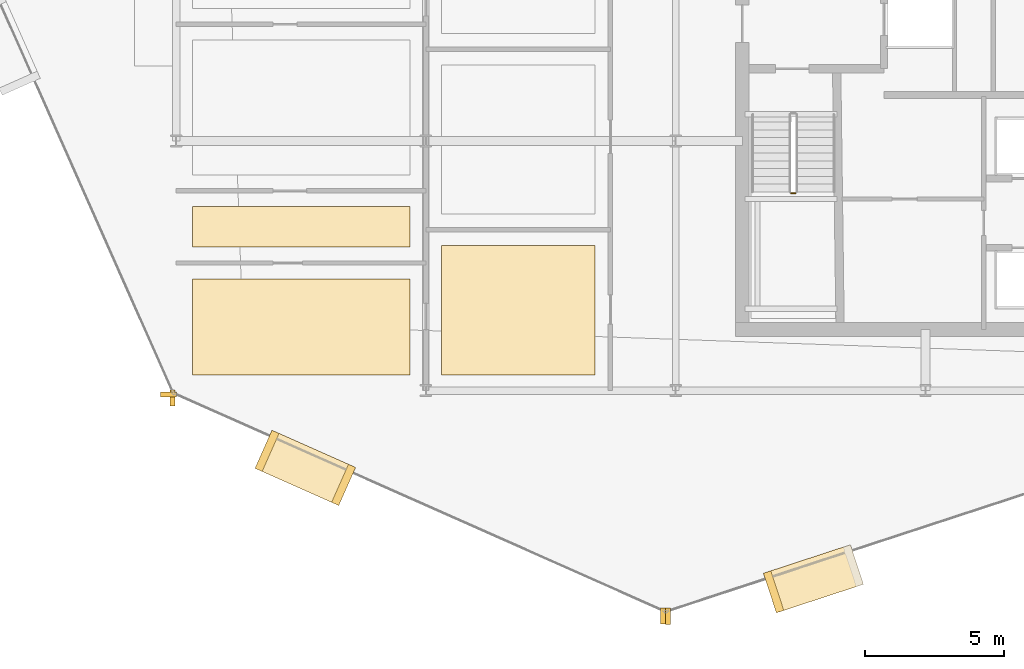
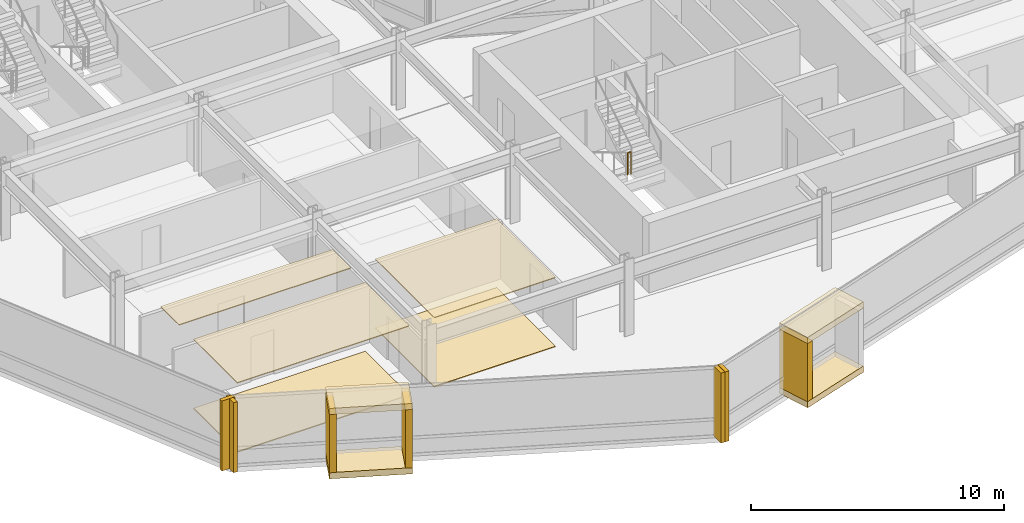
# One storey, part 25 of 29: 16 coverings, 1 railing.
"""IFC4 building model written with IfcOpenShell, lengths in metres."""

import ifcopenshell
import ifcopenshell.guid

model = None  # the IFC model being written
_history = None  # IfcOwnerHistory: only IFC2X3 demands one
_inside = {}  # id of a spatial element -> (the spatial element, [elements in it])
_under = {}  # id of a project, library or spatial element -> (it, [spatial elements below it])
_declared = {}  # id of a project -> (the project, [libraries it declares])
_typed = {}  # id of a type object -> (the type object, [elements of that type])
_made_of = {}  # id of a material, layer set ... -> (it, [elements and type objects made of it])


def new_model(schema):
    """Start an empty IFC model of exactly this schema.

    Asked for "IFC4X3", IfcOpenShell would pick the latest addendum, in which some entities
    have other attributes; the version numbers below select the first issue.
    IFC2X3 requires an IfcOwnerHistory on every rooted entity: one is made here for all.
    """
    global model, _history
    if schema == "IFC4X3":
        model = ifcopenshell.file(schema_version=(4, 3, 0, 0))
    else:
        model = ifcopenshell.file(schema=schema)
    _inside.clear()
    _under.clear()
    _declared.clear()
    _typed.clear()
    _made_of.clear()
    _history = None
    if model.schema == "IFC2X3":
        org = make("IfcOrganization", Name="unknown")
        user = make(
            "IfcPersonAndOrganization",
            ThePerson=make("IfcPerson", FamilyName="unknown"),
            TheOrganization=org,
        )
        app = make(
            "IfcApplication",
            ApplicationDeveloper=org,
            Version="unknown",
            ApplicationFullName="unknown",
            ApplicationIdentifier="unknown",
        )
        _history = make(
            "IfcOwnerHistory",
            OwningUser=user,
            OwningApplication=app,
            ChangeAction="ADDED",
            CreationDate=0,
        )
    return model


def make(cls, **values):
    """One entity of the class cls with the attributes given. An attribute that is None is left unset."""
    return model.create_entity(
        cls, **{name: value for name, value in values.items() if value is not None}
    )


def rooted(cls, **values):
    """An entity with a GlobalId (a new one), such as an element, a storey or a relation."""
    return make(cls, GlobalId=ifcopenshell.guid.new(), OwnerHistory=_history, **values)


def si_unit(unit_type, name, prefix=None):
    """IfcSIUnit, for example si_unit("LENGTHUNIT", "METRE", prefix="MILLI")."""
    return make("IfcSIUnit", UnitType=unit_type, Prefix=prefix, Name=name)


def assignment(units):
    """IfcUnitAssignment: the units of a project."""
    return None if units is None else make("IfcUnitAssignment", Units=units)


def point(xyz):
    """IfcCartesianPoint."""
    return None if xyz is None else make("IfcCartesianPoint", Coordinates=xyz)


def direction(xyz):
    """IfcDirection."""
    return None if xyz is None else make("IfcDirection", DirectionRatios=xyz)


def frame(location, z_axis=None, x_axis=None):
    """IfcAxis2Placement3D, a coordinate frame: its origin and axes. An axis left out is left unset."""
    return make(
        "IfcAxis2Placement3D",
        Location=point(location),
        Axis=direction(z_axis),
        RefDirection=direction(x_axis),
    )


def frame_2d(location, x_axis=None):
    """IfcAxis2Placement2D, a coordinate frame in the plane: its origin and x axis."""
    return make(
        "IfcAxis2Placement2D", Location=point(location), RefDirection=direction(x_axis)
    )


def origin():
    """The frame at (0, 0, 0) with its axes left unset."""
    return frame((0.0, 0.0, 0.0))


def origin_2d():
    """The frame at (0, 0) in the plane with its x axis left unset."""
    return frame_2d((0.0, 0.0))


def place(relative_to, where):
    """IfcLocalPlacement: puts the frame where relative to a parent placement (None: the world)."""
    return make(
        "IfcLocalPlacement", PlacementRelTo=relative_to, RelativePlacement=where
    )


def context(
    kind, dimensions, precision=None, world=None, true_north=None, identifier=None
):
    """IfcGeometricRepresentationContext, for example the 3D "Model" context."""
    return make(
        "IfcGeometricRepresentationContext",
        ContextIdentifier=identifier,
        ContextType=kind,
        CoordinateSpaceDimension=dimensions,
        Precision=precision,
        WorldCoordinateSystem=world,
        TrueNorth=true_north,
    )


def subcontext(parent, identifier, kind, view, scale=None):
    """IfcGeometricRepresentationSubContext, for example "Body" below "Model"."""
    return make(
        "IfcGeometricRepresentationSubContext",
        ContextIdentifier=identifier,
        ContextType=kind,
        ParentContext=parent,
        TargetScale=scale,
        TargetView=view,
    )


def project(units=None, contexts=None):
    """IfcProject with its units and contexts."""
    return rooted(
        "IfcProject",
        Name="project",
        RepresentationContexts=contexts,
        UnitsInContext=assignment(units),
    )


def spatial(cls, under=None, at=None, **own):
    """A site, building, storey or space (cls), placed at a placement, below another one or the project."""
    s = rooted(cls, ObjectPlacement=at, **own)
    if under is not None:
        _under.setdefault(under.id(), (under, []))[1].append(s)
    return s


def polyline(points):
    """IfcPolyline through the points."""
    return make("IfcPolyline", Points=[point(p) for p in points])


def profile(cls, at=None, kind="AREA", **sizes):
    """A parametric profile (cls). Its sizes go by their IFC names, for example OverallWidth=200.0."""
    return make(cls, ProfileType=kind, Position=at, **sizes)


def rectangle(**sizes):
    """IfcRectangleProfileDef."""
    return profile("IfcRectangleProfileDef", **sizes)


def circle(**sizes):
    """IfcCircleProfileDef."""
    return profile("IfcCircleProfileDef", **sizes)


def outline(outer, holes=None, kind="AREA"):
    """IfcArbitraryClosedProfileDef: a profile drawn as a closed curve; with holes, ...WithVoids."""
    if holes is None:
        return make("IfcArbitraryClosedProfileDef", ProfileType=kind, OuterCurve=outer)
    return make(
        "IfcArbitraryProfileDefWithVoids",
        ProfileType=kind,
        OuterCurve=outer,
        InnerCurves=holes,
    )


def extrude(swept, where, along, depth):
    """IfcExtrudedAreaSolid: the profile swept, set in the frame where, extruded along a direction by depth."""
    return make(
        "IfcExtrudedAreaSolid",
        SweptArea=swept,
        Position=where,
        ExtrudedDirection=direction(along),
        Depth=depth,
    )


def shape(context_of_items, identifier, shape_type, items):
    """IfcShapeRepresentation: the items that make up one representation, for example the "Body"."""
    return make(
        "IfcShapeRepresentation",
        ContextOfItems=context_of_items,
        RepresentationIdentifier=identifier,
        RepresentationType=shape_type,
        Items=items,
    )


def material(Name=None, Category=None):
    """IfcMaterial."""
    return make("IfcMaterial", Name=Name, Category=Category)


def layer(
    of_material, thickness, ventilated=None, Name=None, Category=None, Priority=None
):
    """IfcMaterialLayer: one layer of a wall or slab, of a material (None: an air gap)."""
    return make(
        "IfcMaterialLayer",
        Material=of_material,
        LayerThickness=thickness,
        IsVentilated=ventilated,
        Name=Name,
        Category=Category,
        Priority=Priority,
    )


def layer_set(layers, Name=None):
    """IfcMaterialLayerSet."""
    return make("IfcMaterialLayerSet", MaterialLayers=layers, LayerSetName=Name)


def made_of(thing, what):
    """Note that an element or type object is made of a material, layer set ...; save() writes the relation."""
    if what is not None:
        _made_of.setdefault(what.id(), (what, []))[1].append(thing)
    return thing


def type_object(cls, material=None, **own):
    """A type object (cls), such as IfcWallType, which elements share."""
    return made_of(rooted(cls, **own), material)


def element(
    cls,
    number,
    at=None,
    inside=None,
    cuts=None,
    type_object=None,
    material=None,
    context=None,
    identifier="Body",
    shape_type=None,
    held_by="IfcProductDefinitionShape",
    body=None,
    shapes=None,
    **own,
):
    """One element of the class cls, such as IfcWall. Its Tag is "e" and its number.

    at: its placement. inside: the storey or other place that contains it. cuts: it is an
    opening in that element (IfcRelVoidsElement). A single representation is given by context,
    identifier, shape_type and body (its items); several are given by shapes. held_by: the class
    of the entity that holds the representations. save() writes the other relations.
    """
    e = rooted(cls, Tag="e%d" % number, ObjectPlacement=at, **own)
    if body is not None:
        shapes = [shape(context, identifier, shape_type, body)]
    if shapes is not None:
        e.Representation = make(held_by, Representations=shapes)
    if inside is not None:
        _inside.setdefault(inside.id(), (inside, []))[1].append(e)
    if cuts is not None:
        rooted(
            "IfcRelVoidsElement", RelatingBuildingElement=cuts, RelatedOpeningElement=e
        )
    if type_object is not None:
        _typed.setdefault(type_object.id(), (type_object, []))[1].append(e)
    return made_of(e, material)


def aggregate(whole, parts):
    """IfcRelAggregates: a whole, such as a stair, and the parts it consists of."""
    return rooted("IfcRelAggregates", RelatingObject=whole, RelatedObjects=parts)


def save(model, path):
    """Write the relations noted so far, then the file.

    IfcRelAggregates (storeys below a building ...), IfcRelContainedInSpatialStructure (elements
    in a storey), IfcRelDefinesByType, IfcRelAssociatesMaterial and IfcRelDeclares: one each for
    every whole, place, type object, material and project.
    """
    for whole, parts in _under.values():
        aggregate(whole, parts)
    for where, things in _inside.values():
        rooted(
            "IfcRelContainedInSpatialStructure",
            RelatedElements=things,
            RelatingStructure=where,
        )
    for kind, things in _typed.values():
        rooted("IfcRelDefinesByType", RelatedObjects=things, RelatingType=kind)
    for what, things in _made_of.values():
        rooted("IfcRelAssociatesMaterial", RelatedObjects=things, RelatingMaterial=what)
    for by, libraries in _declared.values():
        rooted("IfcRelDeclares", RelatingContext=by, RelatedDefinitions=libraries)
    model.write(path)


model = new_model("IFC4")

# Units and contexts
model_context = context("Model", 3, precision=1e-05, world=origin(), true_north=direction((0.0, 1.0)))
body_context = subcontext(model_context, "Body", "Model", "MODEL_VIEW")
ifc_project = project(units=[si_unit("LENGTHUNIT", "METRE"), si_unit("AREAUNIT", "SQUARE_METRE"), si_unit("VOLUMEUNIT", "CUBIC_METRE"), si_unit("PLANEANGLEUNIT", "RADIAN"), si_unit("MASSUNIT", "GRAM", prefix="KILO")], contexts=[model_context])

# Site, building, storey
site_placement = place(None, origin())
site = spatial("IfcSite", under=ifc_project, at=site_placement, CompositionType="ELEMENT")
building_placement = place(site_placement, origin())
building = spatial("IfcBuilding", under=site, at=building_placement, Name="Solvaryn Broadcast Tower", CompositionType="ELEMENT")
storey_placement = place(building_placement, frame((0.0, 0.0, 165.5)))
storey = spatial("IfcBuildingStorey", under=building, at=storey_placement, Name="L41", CompositionType="ELEMENT", Elevation=165.5)

# Coverings
ifc_material_1 = material(Name="Micro-Perforated Acoustic Gypsum Ceiling", Category="concrete")
ifc_layer_1 = layer(ifc_material_1, 0.0400390625)
ifc_layer_set_1 = layer_set([ifc_layer_1], Name="CV-CEIL-ACOUSTIC")
covering_type_1 = type_object("IfcCoveringType", Name="CV-CEIL-ACOUSTIC", PredefinedType="CEILING", material=ifc_layer_set_1)
covering_1_placement = place(storey_placement, frame((0.0, 0.0, 3.330078125)))
element("IfcCovering", 1, at=covering_1_placement, inside=storey, type_object=covering_type_1, Name="L41 Room Acoustic Ceiling 1", PredefinedType="CEILING", context=body_context, shape_type="SweptSolid", body=[
    extrude(outline(polyline([(18.570068359375, 9.570068359375), (24.10009765625, 9.570068359375), (24.10009765625, 14.22998046875), (18.570068359375, 14.22998046875), (18.570068359375, 9.570068359375)])), origin(), (0.0, 0.0, 1.0), 0.0400390625),
])
covering_2_placement = place(storey_placement, frame((0.0, 0.0, 3.330078125)))
element("IfcCovering", 2, at=covering_2_placement, inside=storey, type_object=covering_type_1, Name="L41 Room Acoustic Ceiling 4", PredefinedType="CEILING", context=body_context, shape_type="SweptSolid", body=[
    extrude(outline(polyline([(9.60009765625, 9.570068359375), (17.429931640625, 9.570068359375), (17.429931640625, 13.030029296875), (9.60009765625, 13.030029296875), (9.60009765625, 9.570068359375)])), origin(), (0.0, 0.0, 1.0), 0.0400390625),
])
covering_3_placement = place(storey_placement, frame((0.0, 0.0, 3.330078125)))
element("IfcCovering", 3, at=covering_3_placement, inside=storey, type_object=covering_type_1, Name="L41 Room Acoustic Ceiling 5", PredefinedType="CEILING", context=body_context, shape_type="SweptSolid", body=[
    extrude(outline(polyline([(9.60009765625, 14.169921875), (17.429931640625, 14.169921875), (17.429931640625, 15.6298828125), (9.60009765625, 15.6298828125), (9.60009765625, 14.169921875)])), origin(), (0.0, 0.0, 1.0), 0.0400390625),
])
ifc_material_2 = material(Name="Newsroom Raised Data Access Flooring", Category="steel")
ifc_layer_2 = layer(ifc_material_2, 0.050048828125)
ifc_layer_set_2 = layer_set([ifc_layer_2], Name="CV-FLOOR-RAISED")
covering_type_2 = type_object("IfcCoveringType", Name="CV-FLOOR-RAISED", PredefinedType="FLOORING", material=ifc_layer_set_2)
covering_4_placement = place(storey_placement, origin())
element("IfcCovering", 4, at=covering_4_placement, inside=storey, type_object=covering_type_2, Name="L41 Room Acoustic Floor Finish 1", PredefinedType="FLOORING", context=body_context, shape_type="SweptSolid", body=[
    extrude(outline(polyline([(18.570068359375, 9.570068359375), (24.10009765625, 9.570068359375), (24.10009765625, 14.22998046875), (18.570068359375, 14.22998046875), (18.570068359375, 9.570068359375)])), origin(), (0.0, 0.0, 1.0), 0.050048828125),
])
covering_5_placement = place(storey_placement, origin())
element("IfcCovering", 5, at=covering_5_placement, inside=storey, type_object=covering_type_2, Name="L41 Room Acoustic Floor Finish 4", PredefinedType="FLOORING", context=body_context, shape_type="SweptSolid", body=[
    extrude(outline(polyline([(9.60009765625, 9.570068359375), (17.429931640625, 9.570068359375), (17.429931640625, 13.030029296875), (9.60009765625, 13.030029296875), (9.60009765625, 9.570068359375)])), origin(), (0.0, 0.0, 1.0), 0.050048828125),
])
ifc_material_3 = material(Name="Glazed Architectural Terracotta Rainscreen Cladding", Category="masonry")
ifc_layer_3 = layer(ifc_material_3, 0.280029296875)
ifc_layer_set_3 = layer_set([ifc_layer_3], Name="CV-TC-CLAD")
covering_type_3 = type_object("IfcCoveringType", Name="CV-TC-CLAD", PredefinedType="CLADDING", material=ifc_layer_set_3)
for number, where, z_axis, x_axis, name in (
    (6, (13.656982421875, 6.218994140625, 3.080078125), (0.0, 0.0, 1.0), (0.913900054426, -0.405939269498, 0.0), "L41 Projecting Stone Window Box Hood 3"),
    (7, (13.656982421875, 6.218994140625, -0.01025390625), (0.0, 0.0, 1.0), (0.913900054426, -0.405939269498, 0.0), "L41 Projecting Stone Window Box Sill 3"),
):
    element("IfcCovering", number, at=place(storey_placement, frame(where, z_axis=z_axis, x_axis=x_axis)), inside=storey, type_object=covering_type_3, Name=name, PredefinedType="CLADDING", context=body_context, shape_type="SweptSolid", body=[
        extrude(rectangle(XDim=3.300048828125, YDim=1.5, at=origin_2d()), origin(), (0.0, 0.0, 1.0), 0.300048828125),
    ])
for number, where, z_axis, x_axis, name in (
    (8, (12.277099609375, 6.83203125, 0.280029296875), (0.0, 0.0, 1.0), (0.913900054426, -0.405939269498, 0.0), "L41 Projecting Stone Window Box Cheek 3-1"),
    (9, (15.037109375, 5.60595703125, 0.280029296875), (0.0, 0.0, 1.0), (0.913900054426, -0.405939269498, 0.0), "L41 Projecting Stone Window Box Cheek 3-2"),
):
    element("IfcCovering", number, at=place(storey_placement, frame(where, z_axis=z_axis, x_axis=x_axis)), inside=storey, type_object=covering_type_3, Name=name, PredefinedType="CLADDING", context=body_context, shape_type="SweptSolid", body=[
        extrude(rectangle(XDim=0.280029296875, YDim=1.5, at=origin_2d()), origin(), (0.0, 0.0, 1.0), 2.81005859375),
    ])
for number, where, z_axis, x_axis, name in (
    (10, (31.9619140625, 2.222900390625, 3.080078125), (0.0, 0.0, 1.0), (0.950189870912, 0.311671636848, 0.0), "L41 Projecting Stone Window Box Hood 4"),
    (11, (31.9619140625, 2.222900390625, -0.01025390625), (0.0, 0.0, 1.0), (0.950189870912, 0.311671636848, 0.0), "L41 Projecting Stone Window Box Sill 4"),
):
    element("IfcCovering", number, at=place(storey_placement, frame(where, z_axis=z_axis, x_axis=x_axis)), inside=storey, type_object=covering_type_3, Name=name, PredefinedType="CLADDING", context=body_context, shape_type="SweptSolid", body=[
        extrude(rectangle(XDim=3.300048828125, YDim=1.5, at=origin_2d()), origin(), (0.0, 0.0, 1.0), 0.300048828125),
    ])
covering_6_placement = place(storey_placement, frame((30.527099609375, 1.75244140625, 0.280029296875), z_axis=(0.0, 0.0, 1.0), x_axis=(0.950189870912, 0.311671636848, 0.0)))
element("IfcCovering", 12, at=covering_6_placement, inside=storey, type_object=covering_type_3, Name="L41 Projecting Stone Window Box Cheek 4-1", PredefinedType="CLADDING", context=body_context, shape_type="SweptSolid", body=[
    extrude(rectangle(XDim=0.280029296875, YDim=1.5, at=origin_2d()), origin(), (0.0, 0.0, 1.0), 2.81005859375),
])
ifc_material_4 = material(Name="Extruded Architectural Terracotta Fin", Category="masonry")
ifc_layer_4 = layer(ifc_material_4, 0.179931640625)
ifc_layer_set_4 = layer_set([ifc_layer_4], Name="CV-TC-FIN")
covering_type_4 = type_object("IfcCoveringType", Name="CV-TC-FIN", PredefinedType="USERDEFINED", material=ifc_layer_set_4)
covering_7_placement = place(storey_placement, frame((8.731689453125, 8.86279296875, 0.0), z_axis=(0.0, 0.0, 1.0), x_axis=(1.0, 0.0, 0.0)))
element("IfcCovering", 13, at=covering_7_placement, inside=storey, type_object=covering_type_4, Name="L41 Terracotta Vertical Fin FIN-L41-DR2-M01", ObjectType="FIN", PredefinedType="USERDEFINED", context=body_context, shape_type="SweptSolid", body=[
    extrude(rectangle(XDim=0.580078125, YDim=0.179931640625, at=origin_2d()), origin(), (0.0, 0.0, 1.0), 3.3701171875),
])
for number, where, z_axis, x_axis, name in (
    (14, (8.86279296875, 8.731689453125, 0.0), (0.0, 0.0, 1.0), (1.0, 0.0, 0.0), "L41 Terracotta Vertical Fin FIN-L41-DR3-M00"),
    (15, (26.535888671875, 0.8818359375, 0.0), (0.0, 0.0, 1.0), (1.0, 0.0, 0.0), "L41 Terracotta Vertical Fin FIN-L41-DR3-M01"),
    (16, (26.720703125, 0.872314453125, 0.0), (0.0, 0.0, 1.0), (1.0, 0.0, 0.0), "L41 Terracotta Vertical Fin FIN-L41-DR4-M00"),
):
    element("IfcCovering", number, at=place(storey_placement, frame(where, z_axis=z_axis, x_axis=x_axis)), inside=storey, type_object=covering_type_4, Name=name, ObjectType="FIN", PredefinedType="USERDEFINED", context=body_context, shape_type="SweptSolid", body=[
        extrude(rectangle(XDim=0.179931640625, YDim=0.580078125, at=origin_2d()), origin(), (0.0, 0.0, 1.0), 3.3701171875),
    ])

# Railing
ifc_material_5 = material(Name="Painted Steel Stair Well Guard", Category="steel")
railing_type = type_object("IfcRailingType", Name="RL-STAIR-GUARD", PredefinedType="BALUSTRADE", material=ifc_material_5)
railing_placement = place(storey_placement, frame((31.159912109375, 16.110107421875, 1.85009765625)))
element("IfcRailing", 17, at=railing_placement, inside=storey, type_object=railing_type, Name="L41 ST3 stair guard 2", PredefinedType="BALUSTRADE", context=body_context, shape_type="SweptSolid", body=[
    extrude(circle(Radius=0.02392578125, at=origin_2d()), frame((0.0, 0.0, 1.076171875), z_axis=(1.0, 0.0, 0.0), x_axis=(0.0, 1.0, 0.0)), (0.0, 0.0, 1.0), 0.150146484375),
    extrude(circle(Radius=0.02099609375, at=origin_2d()), origin(), (0.0, 0.0, 1.0), 1.052001953125),
    extrude(circle(Radius=0.02099609375, at=origin_2d()), frame((0.150146484375, 0.0, 0.0)), (0.0, 0.0, 1.0), 1.052001953125),
])

save(model, "model.ifc")
